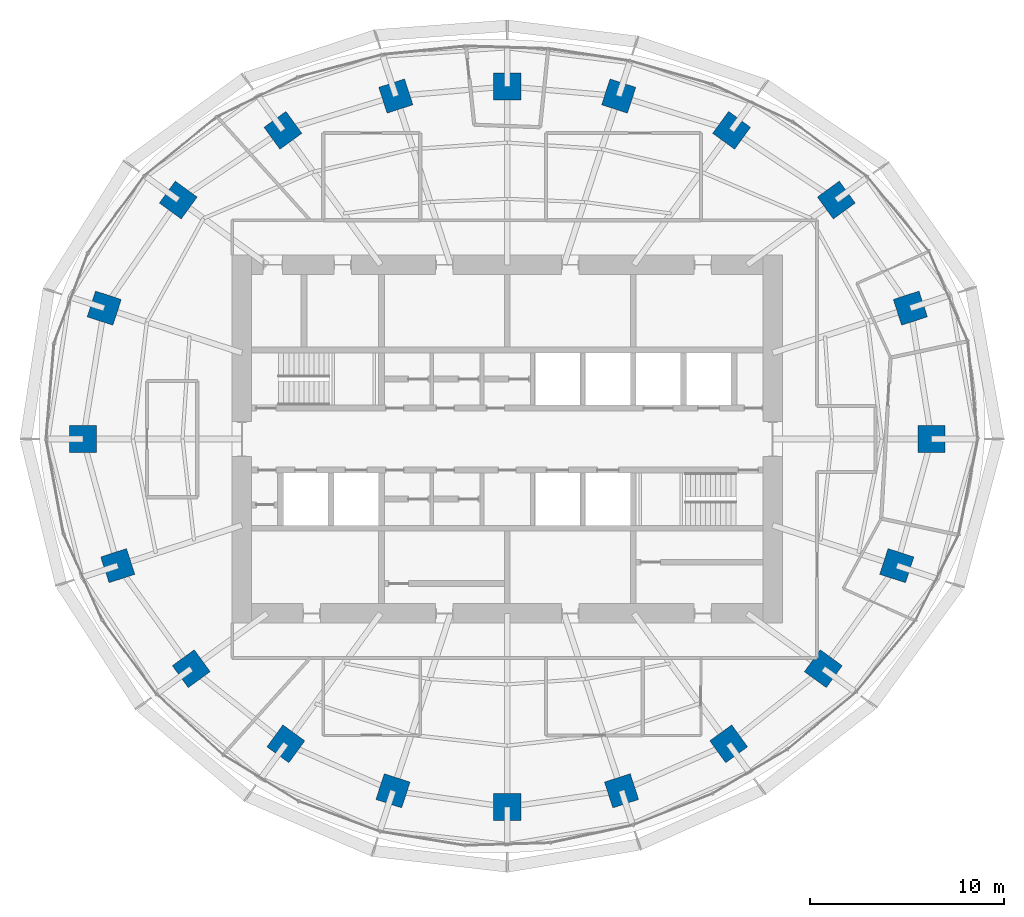
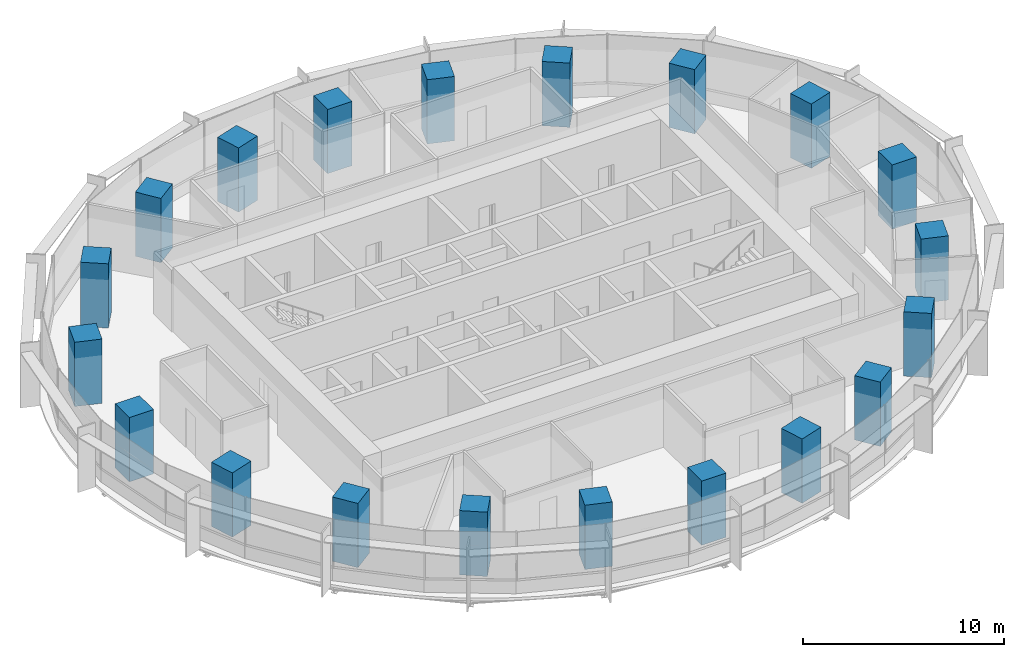
# One storey, part 1 of 15: 20 columns.
"""IFC4 building model written with IfcOpenShell, lengths in metres."""

from ifc_helpers import new_model, si_unit, direction, frame, origin, origin_2d, place, context, subcontext, project, spatial, rectangle, extrude, material, material_profile, profile_set, type_object, element, save


model = new_model("IFC4")

# Units and contexts
model_context = context("Model", 3, precision=1e-05, world=origin(), true_north=direction((0.0, 1.0)))
body_context = subcontext(model_context, "Body", "Model", "MODEL_VIEW")
ifc_project = project(units=[si_unit("LENGTHUNIT", "METRE"), si_unit("AREAUNIT", "SQUARE_METRE"), si_unit("VOLUMEUNIT", "CUBIC_METRE"), si_unit("PLANEANGLEUNIT", "RADIAN"), si_unit("MASSUNIT", "GRAM", prefix="KILO")], contexts=[model_context])

# Site, building, storey
site_placement = place(None, origin())
site = spatial("IfcSite", under=ifc_project, at=site_placement, CompositionType="ELEMENT")
building_placement = place(site_placement, origin())
building = spatial("IfcBuilding", under=site, at=building_placement, Name="Marramba Exchange Tower", CompositionType="ELEMENT")
storey_placement = place(building_placement, frame((0.0, 0.0, 207.199951171875)))
storey = spatial("IfcBuildingStorey", under=building, at=storey_placement, Name="L50", CompositionType="ELEMENT", Elevation=207.199951171875)

# Columns
ifc_material = material(Name="Concrete N50", Category="concrete")
ifc_material_profile = material_profile(ifc_material, rectangle(XDim=1.39990234375, YDim=1.39990234375, at=origin_2d()), Name="RC 1400x1400")
ifc_profile_set = profile_set([ifc_material_profile], Name="Concrete N50")
column_type = type_object("IfcColumnType", Name="Perimeter column RC 1400x1400 N50", PredefinedType="COLUMN", material=ifc_profile_set)
for number, where, z_axis, x_axis, name in (
    (1, (21.89990234375, 0.0, 0.0), (0.0, 0.0, 1.0), (1.0, 0.0, 0.0), "Column TC01 L50"),
    (2, (20.808349609375, 6.760986328125, 0.0), (0.0, 0.0, 1.0), (0.951056516295, 0.309016994375, 0.0), "Column TC02 L50"),
    (3, (16.98583984375, 12.3408203125, 0.0), (0.0, 0.0, 1.0), (0.809016994375, 0.587785252292, 0.0), "Column TC03 L50"),
    (4, (11.581298828125, 15.9404296875, 0.0), (0.0, 0.0, 1.0), (0.587785252292, 0.809016994375, 0.0), "Column TC04 L50"),
    (5, (5.75390625, 17.70849609375, 0.0), (0.0, 0.0, 1.0), (0.309016994375, 0.951056516295, 0.0), "Column TC05 L50"),
    (6, (0.0, 18.2041015625, 0.0), (0.0, 0.0, 1.0), (0.0, 1.0, 0.0), "Column TC06 L50"),
    (7, (-5.75390625, 17.70849609375, 0.0), (0.0, 0.0, 1.0), (-0.309016994375, 0.951056516295, 0.0), "Column TC07 L50"),
    (8, (-11.581298828125, 15.9404296875, 0.0), (0.0, 0.0, 1.0), (-0.587785252292, 0.809016994375, 0.0), "Column TC08 L50"),
    (9, (-16.98583984375, 12.3408203125, 0.0), (0.0, 0.0, 1.0), (-0.809016994375, 0.587785252292, 0.0), "Column TC09 L50"),
    (10, (-20.808349609375, 6.760986328125, 0.0), (0.0, 0.0, 1.0), (-0.951056516295, 0.309016994375, 0.0), "Column TC10 L50"),
    (11, (-21.89990234375, 0.0, 0.0), (0.0, 0.0, 1.0), (-1.0, 0.0, 0.0), "Column TC11 L50"),
    (12, (-20.109375, -6.533935546875, 0.0), (0.0, 0.0, 1.0), (-0.951056516295, -0.309016994375, 0.0), "Column TC12 L50"),
    (13, (-16.3154296875, -11.853759765625, 0.0), (0.0, 0.0, 1.0), (-0.809016994375, -0.587785252292, 0.0), "Column TC13 L50"),
    (14, (-11.430419921875, -15.732666015625, 0.0), (0.0, 0.0, 1.0), (-0.587785252292, -0.809016994375, 0.0), "Column TC14 L50"),
    (15, (-5.899658203125, -18.156982421875, 0.0), (0.0, 0.0, 1.0), (-0.309016994375, -0.951056516295, 0.0), "Column TC15 L50"),
    (16, (0.0, -18.99609375, 0.0), (0.0, 0.0, 1.0), (0.0, -1.0, 0.0), "Column TC16 L50"),
    (17, (5.899658203125, -18.156982421875, 0.0), (0.0, 0.0, 1.0), (0.309016994375, -0.951056516295, 0.0), "Column TC17 L50"),
    (18, (11.430419921875, -15.732666015625, 0.0), (0.0, 0.0, 1.0), (0.587785252292, -0.809016994375, 0.0), "Column TC18 L50"),
    (19, (16.3154296875, -11.853759765625, 0.0), (0.0, 0.0, 1.0), (0.809016994375, -0.587785252292, 0.0), "Column TC19 L50"),
    (20, (20.109375, -6.533935546875, 0.0), (0.0, 0.0, 1.0), (0.951056516295, -0.309016994375, 0.0), "Column TC20 L50"),
):
    element("IfcColumn", number, at=place(storey_placement, frame(where, z_axis=z_axis, x_axis=x_axis)), inside=storey, type_object=column_type, Name=name, PredefinedType="COLUMN", context=body_context, shape_type="SweptSolid", body=[
        extrude(rectangle(XDim=1.39990234375, YDim=1.39990234375, at=origin_2d()), origin(), (0.0, 0.0, 1.0), 3.900146484375),
    ])

save(model, "model.ifc")
